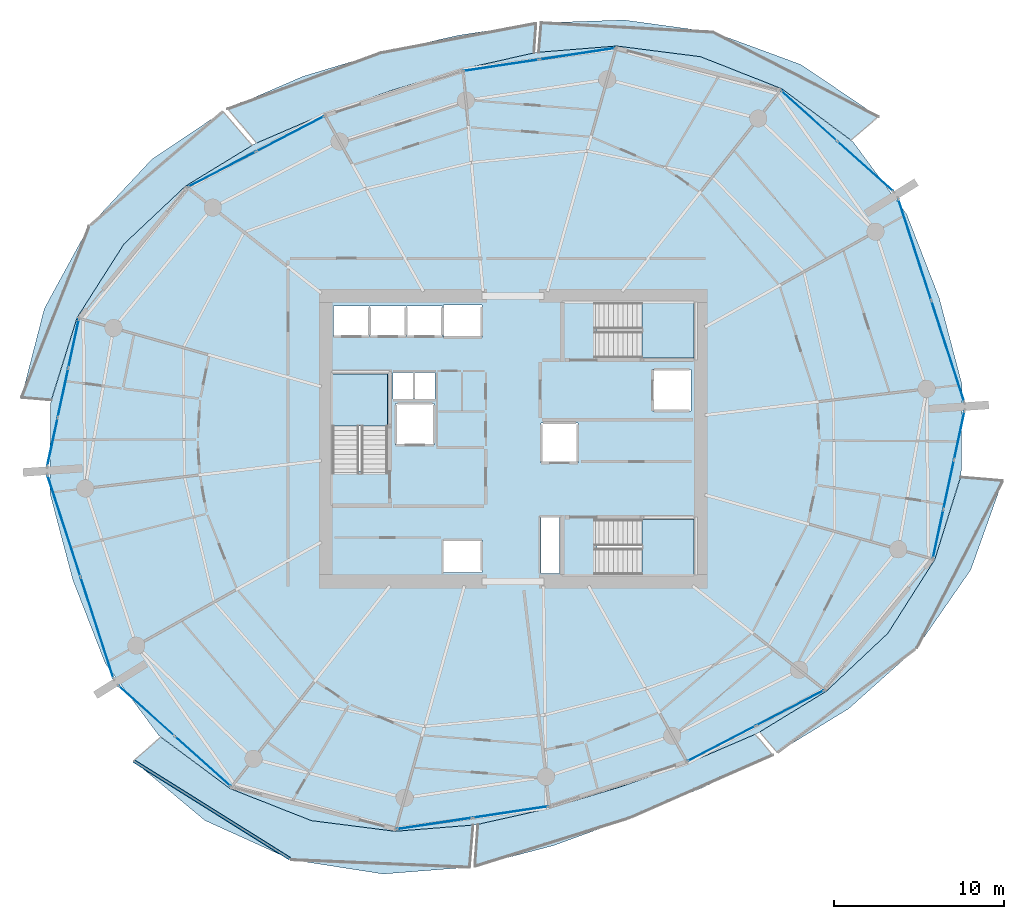
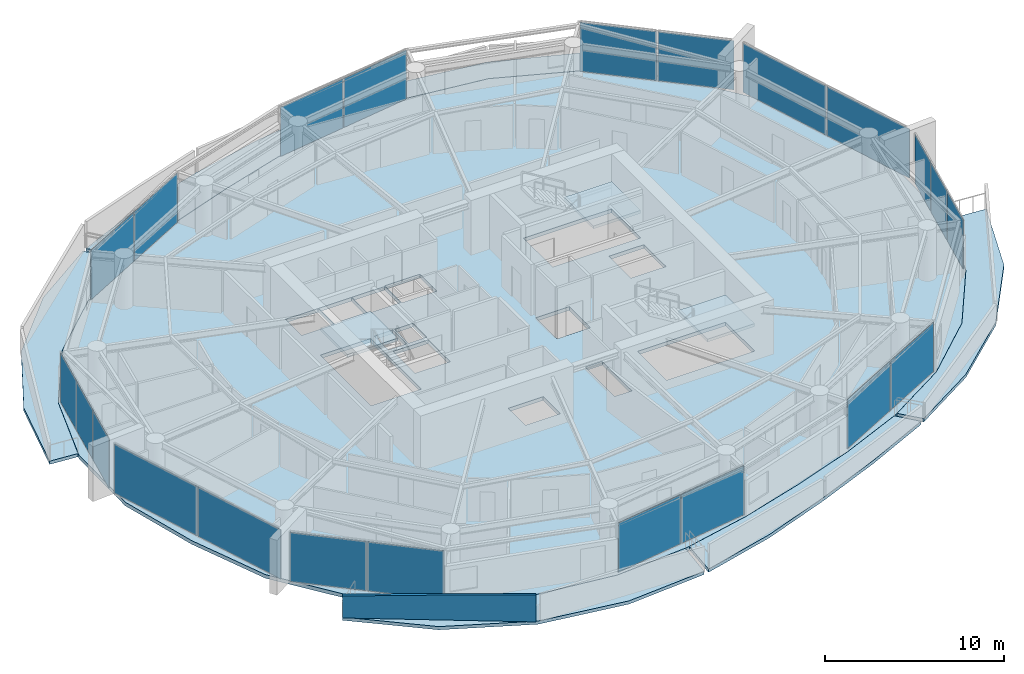
# One storey, part 10 of 20: 22 plates, 10 slabs, 1 wall, 13 elements without a shape of their own.
"""IFC4 building model written with IfcOpenShell, lengths in metres."""

from ifc_helpers import new_model, si_unit, direction, frame, origin, origin_2d, place, context, subcontext, project, spatial, polyline, rectangle, outline, extrude, material, layer, layer_set, type_object, element, aggregate, save


model = new_model("IFC4")

# Units and contexts
model_context = context("Model", 3, precision=1e-05, world=origin(), true_north=direction((0.0, 1.0)))
body_context = subcontext(model_context, "Body", "Model", "MODEL_VIEW")
ifc_project = project(units=[si_unit("LENGTHUNIT", "METRE"), si_unit("AREAUNIT", "SQUARE_METRE"), si_unit("VOLUMEUNIT", "CUBIC_METRE"), si_unit("PLANEANGLEUNIT", "RADIAN"), si_unit("MASSUNIT", "GRAM", prefix="KILO")], contexts=[model_context])

# Site, building, storey
site_placement = place(None, origin())
site = spatial("IfcSite", under=ifc_project, at=site_placement, CompositionType="ELEMENT")
building_placement = place(site_placement, origin())
building = spatial("IfcBuilding", under=site, at=building_placement, Name="Kazma Halo Residences", CompositionType="ELEMENT")
storey_placement = place(building_placement, frame((0.0, 0.0, 146.550048828125)))
storey = spatial("IfcBuildingStorey", under=building, at=storey_placement, Name="L36", CompositionType="ELEMENT", Elevation=146.550048828125)

# Curtain wall, plates
ifc_material_1 = material(Name="Aluminium AW-6063 T6 and Triple-Silver Low-E Glass", Category="aluminium")
ifc_layer_1 = layer(ifc_material_1, 0.219970703125)
ifc_layer_set_1 = layer_set([ifc_layer_1], Name="Aluminium AW-6063 T6 and Triple-Silver Low-E Glass")
curtain_wall_type = type_object("IfcCurtainWallType", Name="CW-SYS-4", PredefinedType="NOTDEFINED", material=ifc_layer_set_1)
curtain_wall_1_placement = place(storey_placement, origin())
curtain_wall_1 = element("IfcCurtainWall", 1, at=curtain_wall_1_placement, inside=storey, type_object=curtain_wall_type, Name="L36 unitised curtain wall B01", PredefinedType="NOTDEFINED")
ifc_material_2 = material(Name="Clear Triple-Silver Low-E Glass IGU", Category="glass")
ifc_layer_2 = layer(ifc_material_2, 0.033935546875)
ifc_layer_set_2 = layer_set([ifc_layer_2], Name="Clear Triple-Silver Low-E Glass IGU")
plate_type = type_object("IfcPlateType", Name="CW-SYS-4-PNL", PredefinedType="CURTAIN_PANEL", material=ifc_layer_set_2)
plate_1_placement = place(storey_placement, frame((69.126708984375, 58.008056640625, 0.074951171875), z_axis=(0.0, 0.0, 1.0), x_axis=(-0.744367582957, 0.667770096247, 0.0)))
plate_1 = element("IfcPlate", 2, at=plate_1_placement, type_object=plate_type, Name="CWS-4 panel 1.1", PredefinedType="CURTAIN_PANEL", context=body_context, shape_type="SweptSolid", body=[
    extrude(rectangle(XDim=4.36279296875, YDim=0.033935546875, at=origin_2d()), origin(), (0.0, 0.0, 1.0), 3.35009765625),
])
plate_2_placement = place(storey_placement, frame((65.823486328125, 60.971435546875, 0.074951171875), z_axis=(0.0, 0.0, 1.0), x_axis=(-0.744367582957, 0.667770096247, 0.0)))
plate_2 = element("IfcPlate", 3, at=plate_2_placement, type_object=plate_type, Name="CWS-4 panel 2.1", PredefinedType="CURTAIN_PANEL", context=body_context, shape_type="SweptSolid", body=[
    extrude(rectangle(XDim=4.36279296875, YDim=0.033935546875, at=origin_2d()), origin(), (0.0, 0.0, 1.0), 3.35009765625),
])
aggregate(curtain_wall_1, [plate_1, plate_2])

curtain_wall_2_placement = place(storey_placement, origin())
curtain_wall_2 = element("IfcCurtainWall", 4, at=curtain_wall_2_placement, inside=storey, type_object=curtain_wall_type, Name="L36 unitised curtain wall B03", PredefinedType="NOTDEFINED")
plate_3_placement = place(storey_placement, frame((52.200439453125, 64.625732421875, 0.074951171875), z_axis=(0.0, 0.0, 1.0), x_axis=(-0.988864148004, -0.148821022686, 0.0)))
plate_3 = element("IfcPlate", 5, at=plate_3_placement, type_object=plate_type, Name="CWS-4 panel 1.1", PredefinedType="CURTAIN_PANEL", context=body_context, shape_type="SweptSolid", body=[
    extrude(rectangle(XDim=4.4560546875, YDim=0.033935546875, at=origin_2d()), origin(), (0.0, 0.0, 1.0), 3.35009765625),
])
plate_4_placement = place(storey_placement, frame((47.7197265625, 63.951416015625, 0.074951171875), z_axis=(0.0, 0.0, 1.0), x_axis=(-0.988864148004, -0.148821022686, 0.0)))
plate_4 = element("IfcPlate", 6, at=plate_4_placement, type_object=plate_type, Name="CWS-4 panel 2.1", PredefinedType="CURTAIN_PANEL", context=body_context, shape_type="SweptSolid", body=[
    extrude(rectangle(XDim=4.4560546875, YDim=0.033935546875, at=origin_2d()), origin(), (0.0, 0.0, 1.0), 3.35009765625),
])
aggregate(curtain_wall_2, [plate_3, plate_4])

curtain_wall_3_placement = place(storey_placement, origin())
curtain_wall_3 = element("IfcCurtainWall", 7, at=curtain_wall_3_placement, inside=storey, type_object=curtain_wall_type, Name="L36 unitised curtain wall B05", PredefinedType="NOTDEFINED")
plate_5_placement = place(storey_placement, frame((35.323974609375, 59.923828125, 0.074951171875), z_axis=(0.0, 0.0, 1.0), x_axis=(-0.887484542306, -0.460837484552, 0.0)))
plate_5 = element("IfcPlate", 8, at=plate_5_placement, type_object=plate_type, Name="CWS-4 panel 1.1", PredefinedType="CURTAIN_PANEL", context=body_context, shape_type="SweptSolid", body=[
    extrude(rectangle(XDim=4.4560546875, YDim=0.033935546875, at=origin_2d()), origin(), (0.0, 0.0, 1.0), 3.35009765625),
])
plate_6_placement = place(storey_placement, frame((31.302734375, 57.835693359375, 0.074951171875), z_axis=(0.0, 0.0, 1.0), x_axis=(-0.887484542306, -0.460837484552, 0.0)))
plate_6 = element("IfcPlate", 9, at=plate_6_placement, type_object=plate_type, Name="CWS-4 panel 2.1", PredefinedType="CURTAIN_PANEL", context=body_context, shape_type="SweptSolid", body=[
    extrude(rectangle(XDim=4.4560546875, YDim=0.033935546875, at=origin_2d()), origin(), (0.0, 0.0, 1.0), 3.35009765625),
])
aggregate(curtain_wall_3, [plate_5, plate_6])

curtain_wall_4_placement = place(storey_placement, origin())
curtain_wall_4 = element("IfcCurtainWall", 10, at=curtain_wall_4_placement, inside=storey, type_object=curtain_wall_type, Name="L36 unitised curtain wall B07", PredefinedType="NOTDEFINED")
plate_7_placement = place(storey_placement, frame((22.5859375, 47.601318359375, 0.074951171875), z_axis=(0.0, 0.0, 1.0), x_axis=(-0.209703809037, -0.977764957684, 0.0)))
plate_7 = element("IfcPlate", 11, at=plate_7_placement, type_object=plate_type, Name="CWS-4 panel 1.1", PredefinedType="CURTAIN_PANEL", context=body_context, shape_type="SweptSolid", body=[
    extrude(rectangle(XDim=2.87109375, YDim=0.033935546875, at=origin_2d()), origin(), (0.0, 0.0, 1.0), 3.35009765625),
])
plate_8_placement = place(storey_placement, frame((21.964111328125, 44.702392578125, 0.074951171875), z_axis=(0.0, 0.0, 1.0), x_axis=(-0.209703809037, -0.977764957684, 0.0)))
plate_8 = element("IfcPlate", 12, at=plate_8_placement, type_object=plate_type, Name="CWS-4 panel 2.1", PredefinedType="CURTAIN_PANEL", context=body_context, shape_type="SweptSolid", body=[
    extrude(rectangle(XDim=2.90869140625, YDim=0.033935546875, at=origin_2d()), origin(), (0.0, 0.0, 1.0), 3.35009765625),
])
plate_9_placement = place(storey_placement, frame((21.34228515625, 41.803466796875, 0.074951171875), z_axis=(0.0, 0.0, 1.0), x_axis=(-0.209703809037, -0.977764957684, 0.0)))
plate_9 = element("IfcPlate", 13, at=plate_9_placement, type_object=plate_type, Name="CWS-4 panel 3.1", PredefinedType="CURTAIN_PANEL", context=body_context, shape_type="SweptSolid", body=[
    extrude(rectangle(XDim=2.87109375, YDim=0.033935546875, at=origin_2d()), origin(), (0.0, 0.0, 1.0), 3.35009765625),
])
aggregate(curtain_wall_4, [plate_7, plate_8, plate_9])

curtain_wall_5_placement = place(storey_placement, origin())
curtain_wall_5 = element("IfcCurtainWall", 14, at=curtain_wall_5_placement, inside=storey, type_object=curtain_wall_type, Name="L36 unitised curtain wall B08", PredefinedType="NOTDEFINED")
plate_10_placement = place(storey_placement, frame((22.017578125, 36.869873046875, 0.074951171875), z_axis=(0.0, 0.0, 1.0), x_axis=(0.3090138203, -0.951057547609, 0.0)))
plate_10 = element("IfcPlate", 15, at=plate_10_placement, type_object=plate_type, Name="CWS-4 panel 1.1", PredefinedType="CURTAIN_PANEL", context=body_context, shape_type="SweptSolid", body=[
    extrude(rectangle(XDim=6.224853515625, YDim=0.033935546875, at=origin_2d()), origin(), (0.0, 0.0, 1.0), 3.35009765625),
])
plate_11_placement = place(storey_placement, frame((23.96435546875, 30.878173828125, 0.074951171875), z_axis=(0.0, 0.0, 1.0), x_axis=(0.3090138203, -0.951057547609, 0.0)))
plate_11 = element("IfcPlate", 16, at=plate_11_placement, type_object=plate_type, Name="CWS-4 panel 2.1", PredefinedType="CURTAIN_PANEL", context=body_context, shape_type="SweptSolid", body=[
    extrude(rectangle(XDim=6.224853515625, YDim=0.033935546875, at=origin_2d()), origin(), (0.0, 0.0, 1.0), 3.35009765625),
])
aggregate(curtain_wall_5, [plate_10, plate_11])

curtain_wall_6_placement = place(storey_placement, origin())
curtain_wall_6 = element("IfcCurtainWall", 17, at=curtain_wall_6_placement, inside=storey, type_object=curtain_wall_type, Name="L36 unitised curtain wall B09", PredefinedType="NOTDEFINED")
plate_12_placement = place(storey_placement, frame((26.873291015625, 25.991943359375, 0.074951171875), z_axis=(0.0, 0.0, 1.0), x_axis=(0.744367582957, -0.667770096247, 0.0)))
plate_12 = element("IfcPlate", 18, at=plate_12_placement, type_object=plate_type, Name="CWS-4 panel 1.1", PredefinedType="CURTAIN_PANEL", context=body_context, shape_type="SweptSolid", body=[
    extrude(rectangle(XDim=4.36279296875, YDim=0.033935546875, at=origin_2d()), origin(), (0.0, 0.0, 1.0), 3.35009765625),
])
plate_13_placement = place(storey_placement, frame((30.176513671875, 23.028564453125, 0.074951171875), z_axis=(0.0, 0.0, 1.0), x_axis=(0.744367582957, -0.667770096247, 0.0)))
plate_13 = element("IfcPlate", 19, at=plate_13_placement, type_object=plate_type, Name="CWS-4 panel 2.1", PredefinedType="CURTAIN_PANEL", context=body_context, shape_type="SweptSolid", body=[
    extrude(rectangle(XDim=4.36279296875, YDim=0.033935546875, at=origin_2d()), origin(), (0.0, 0.0, 1.0), 3.35009765625),
])
aggregate(curtain_wall_6, [plate_12, plate_13])

curtain_wall_7_placement = place(storey_placement, origin())
curtain_wall_7 = element("IfcCurtainWall", 20, at=curtain_wall_7_placement, inside=storey, type_object=curtain_wall_type, Name="L36 unitised curtain wall B11", PredefinedType="NOTDEFINED")
plate_14_placement = place(storey_placement, frame((43.799560546875, 19.374267578125, 0.074951171875), z_axis=(0.0, 0.0, 1.0), x_axis=(0.988864148004, 0.148821022686, 0.0)))
plate_14 = element("IfcPlate", 21, at=plate_14_placement, type_object=plate_type, Name="CWS-4 panel 1.1", PredefinedType="CURTAIN_PANEL", context=body_context, shape_type="SweptSolid", body=[
    extrude(rectangle(XDim=4.4560546875, YDim=0.033935546875, at=origin_2d()), origin(), (0.0, 0.0, 1.0), 3.35009765625),
])
plate_15_placement = place(storey_placement, frame((48.2802734375, 20.048583984375, 0.074951171875), z_axis=(0.0, 0.0, 1.0), x_axis=(0.988864148004, 0.148821022686, 0.0)))
plate_15 = element("IfcPlate", 22, at=plate_15_placement, type_object=plate_type, Name="CWS-4 panel 2.1", PredefinedType="CURTAIN_PANEL", context=body_context, shape_type="SweptSolid", body=[
    extrude(rectangle(XDim=4.4560546875, YDim=0.033935546875, at=origin_2d()), origin(), (0.0, 0.0, 1.0), 3.35009765625),
])
aggregate(curtain_wall_7, [plate_14, plate_15])

curtain_wall_8_placement = place(storey_placement, origin())
curtain_wall_8 = element("IfcCurtainWall", 23, at=curtain_wall_8_placement, inside=storey, type_object=curtain_wall_type, Name="L36 unitised curtain wall B13", PredefinedType="NOTDEFINED")
plate_16_placement = place(storey_placement, frame((60.676025390625, 24.076171875, 0.074951171875), z_axis=(0.0, 0.0, 1.0), x_axis=(0.887484542306, 0.460837484552, 0.0)))
plate_16 = element("IfcPlate", 24, at=plate_16_placement, type_object=plate_type, Name="CWS-4 panel 1.1", PredefinedType="CURTAIN_PANEL", context=body_context, shape_type="SweptSolid", body=[
    extrude(rectangle(XDim=4.4560546875, YDim=0.033935546875, at=origin_2d()), origin(), (0.0, 0.0, 1.0), 3.35009765625),
])
plate_17_placement = place(storey_placement, frame((64.697265625, 26.164306640625, 0.074951171875), z_axis=(0.0, 0.0, 1.0), x_axis=(0.887484542306, 0.460837484552, 0.0)))
plate_17 = element("IfcPlate", 25, at=plate_17_placement, type_object=plate_type, Name="CWS-4 panel 2.1", PredefinedType="CURTAIN_PANEL", context=body_context, shape_type="SweptSolid", body=[
    extrude(rectangle(XDim=4.4560546875, YDim=0.033935546875, at=origin_2d()), origin(), (0.0, 0.0, 1.0), 3.35009765625),
])
aggregate(curtain_wall_8, [plate_16, plate_17])

curtain_wall_9_placement = place(storey_placement, origin())
curtain_wall_9 = element("IfcCurtainWall", 26, at=curtain_wall_9_placement, inside=storey, type_object=curtain_wall_type, Name="L36 unitised curtain wall B15", PredefinedType="NOTDEFINED")
plate_18_placement = place(storey_placement, frame((73.4140625, 36.398681640625, 0.074951171875), z_axis=(0.0, 0.0, 1.0), x_axis=(0.209703809037, 0.977764957684, 0.0)))
plate_18 = element("IfcPlate", 27, at=plate_18_placement, type_object=plate_type, Name="CWS-4 panel 1.1", PredefinedType="CURTAIN_PANEL", context=body_context, shape_type="SweptSolid", body=[
    extrude(rectangle(XDim=2.87109375, YDim=0.033935546875, at=origin_2d()), origin(), (0.0, 0.0, 1.0), 3.35009765625),
])
plate_19_placement = place(storey_placement, frame((74.035888671875, 39.297607421875, 0.074951171875), z_axis=(0.0, 0.0, 1.0), x_axis=(0.209703809037, 0.977764957684, 0.0)))
plate_19 = element("IfcPlate", 28, at=plate_19_placement, type_object=plate_type, Name="CWS-4 panel 2.1", PredefinedType="CURTAIN_PANEL", context=body_context, shape_type="SweptSolid", body=[
    extrude(rectangle(XDim=2.90869140625, YDim=0.033935546875, at=origin_2d()), origin(), (0.0, 0.0, 1.0), 3.35009765625),
])
plate_20_placement = place(storey_placement, frame((74.65771484375, 42.196533203125, 0.074951171875), z_axis=(0.0, 0.0, 1.0), x_axis=(0.209703809037, 0.977764957684, 0.0)))
plate_20 = element("IfcPlate", 29, at=plate_20_placement, type_object=plate_type, Name="CWS-4 panel 3.1", PredefinedType="CURTAIN_PANEL", context=body_context, shape_type="SweptSolid", body=[
    extrude(rectangle(XDim=2.87109375, YDim=0.033935546875, at=origin_2d()), origin(), (0.0, 0.0, 1.0), 3.35009765625),
])
aggregate(curtain_wall_9, [plate_18, plate_19, plate_20])

curtain_wall_10_placement = place(storey_placement, origin())
curtain_wall_10 = element("IfcCurtainWall", 30, at=curtain_wall_10_placement, inside=storey, type_object=curtain_wall_type, Name="L36 unitised curtain wall B16", PredefinedType="NOTDEFINED")
plate_21_placement = place(storey_placement, frame((73.982421875, 47.130126953125, 0.074951171875), z_axis=(0.0, 0.0, 1.0), x_axis=(-0.3090138203, 0.951057547609, 0.0)))
plate_21 = element("IfcPlate", 31, at=plate_21_placement, type_object=plate_type, Name="CWS-4 panel 1.1", PredefinedType="CURTAIN_PANEL", context=body_context, shape_type="SweptSolid", body=[
    extrude(rectangle(XDim=6.224853515625, YDim=0.033935546875, at=origin_2d()), origin(), (0.0, 0.0, 1.0), 3.35009765625),
])
plate_22_placement = place(storey_placement, frame((72.03564453125, 53.121826171875, 0.074951171875), z_axis=(0.0, 0.0, 1.0), x_axis=(-0.3090138203, 0.951057547609, 0.0)))
plate_22 = element("IfcPlate", 32, at=plate_22_placement, type_object=plate_type, Name="CWS-4 panel 2.1", PredefinedType="CURTAIN_PANEL", context=body_context, shape_type="SweptSolid", body=[
    extrude(rectangle(XDim=6.224853515625, YDim=0.033935546875, at=origin_2d()), origin(), (0.0, 0.0, 1.0), 3.35009765625),
])
aggregate(curtain_wall_10, [plate_21, plate_22])

# Slabs
ifc_material_3 = material(Name="White Concrete C50/60", Category="concrete")
ifc_layer_3 = layer(ifc_material_3, 0.219970703125)
ifc_layer_set_3 = layer_set([ifc_layer_3], Name="White Concrete C50/60")
slab_type_1 = type_object("IfcSlabType", Name="SLB-BAL-WAVE-210", PredefinedType="FLOOR", material=ifc_layer_set_3)
slab_1_placement = place(storey_placement, frame((0.0, 0.0, -0.219970703125)))
element("IfcSlab", 33, at=slab_1_placement, inside=storey, type_object=slab_type_1, Name="L36 NE cantilevered wave balcony slab", PredefinedType="FLOOR", context=body_context, shape_type="SweptSolid", body=[
    extrude(outline(polyline([(68.294677734375, 59.548583984375), (64.21923828125, 62.573974609375), (59.442626953125, 64.45751953125), (54.510986328125, 65.0859375), (49.927978515625, 64.720458984375), (50.074462890625, 66.44873046875), (54.94189453125, 66.6142578125), (60.177001953125, 65.898681640625), (65.33935546875, 63.994873046875), (69.8896484375, 60.927978515625), (68.294677734375, 59.548583984375)])), origin(), (0.0, 0.0, 1.0), 0.219970703125),
])
slab_2_placement = place(storey_placement, frame((0.0, 0.0, -0.219970703125)))
element("IfcSlab", 34, at=slab_2_placement, inside=storey, type_object=slab_type_1, Name="L36 NNW cantilevered wave balcony slab", PredefinedType="FLOOR", context=body_context, shape_type="SweptSolid", body=[
    extrude(outline(polyline([(49.6455078125, 64.67822265625), (45.427978515625, 63.72998046875), (41.3408203125, 62.494873046875), (37.30810546875, 61.091552734375), (33.3388671875, 59.3798828125), (31.646728515625, 61.3857421875), (36.07177734375, 63.29931640625), (40.631103515625, 64.679443359375), (45.193359375, 65.712646484375), (49.771728515625, 66.417236328125), (49.6455078125, 64.67822265625)])), origin(), (0.0, 0.0, 1.0), 0.219970703125),
])
slab_3_placement = place(storey_placement, frame((0.0, 0.0, -0.219970703125)))
element("IfcSlab", 35, at=slab_3_placement, inside=storey, type_object=slab_type_1, Name="L36 NW cantilevered wave balcony slab", PredefinedType="FLOOR", context=body_context, shape_type="SweptSolid", body=[
    extrude(outline(polyline([(33.08544921875, 59.248046875), (29.1630859375, 56.849853515625), (25.54248046875, 53.442626953125), (22.78515625, 49.111328125), (21.2666015625, 44.268310546875), (19.515380859375, 44.4169921875), (20.863525390625, 49.6533203125), (23.49609375, 54.4853515625), (27.17578125, 58.41650390625), (31.3662109375, 61.236572265625), (33.08544921875, 59.248046875)])), origin(), (0.0, 0.0, 1.0), 0.219970703125),
])
slab_4_placement = place(storey_placement, frame((0.0, 0.0, -0.219970703125)))
element("IfcSlab", 36, at=slab_4_placement, inside=storey, type_object=slab_type_1, Name="L36 SW cantilevered wave balcony slab", PredefinedType="FLOOR", context=body_context, shape_type="SweptSolid", body=[
    extrude(outline(polyline([(27.705322265625, 24.451416015625), (31.78076171875, 21.426025390625), (36.557373046875, 19.54248046875), (41.489013671875, 18.9140625), (46.072021484375, 19.279541015625), (45.8623046875, 16.80517578125), (40.78125, 16.404052734375), (35.38671875, 17.2451171875), (30.302978515625, 19.551513671875), (26.095947265625, 23.0595703125), (27.705322265625, 24.451416015625)])), origin(), (0.0, 0.0, 1.0), 0.219970703125),
])
slab_5_placement = place(storey_placement, frame((0.0, 0.0, -0.219970703125)))
element("IfcSlab", 37, at=slab_5_placement, inside=storey, type_object=slab_type_1, Name="L36 SSE cantilevered wave balcony slab", PredefinedType="FLOOR", context=body_context, shape_type="SweptSolid", body=[
    extrude(outline(polyline([(46.3544921875, 19.32177734375), (50.572021484375, 20.27001953125), (54.6591796875, 21.505126953125), (58.69189453125, 22.908447265625), (62.6611328125, 24.6201171875), (63.682861328125, 23.408935546875), (59.505615234375, 21.455078125), (55.24609375, 19.69921875), (50.830322265625, 18.0859375), (46.176025390625, 16.86279296875), (46.3544921875, 19.32177734375)])), origin(), (0.0, 0.0, 1.0), 0.219970703125),
])
slab_6_placement = place(storey_placement, frame((0.0, 0.0, -0.219970703125)))
element("IfcSlab", 38, at=slab_6_placement, inside=storey, type_object=slab_type_1, Name="L36 SE cantilevered wave balcony slab", PredefinedType="FLOOR", context=body_context, shape_type="SweptSolid", body=[
    extrude(outline(polyline([(62.91455078125, 24.751953125), (66.8369140625, 27.150146484375), (70.45751953125, 30.557373046875), (73.21484375, 34.888671875), (74.7333984375, 39.731689453125), (77.20361328125, 39.52197265625), (75.331787109375, 34.291748046875), (72.1494140625, 29.6953125), (68.14501953125, 26.118896484375), (63.95361328125, 23.550048828125), (62.91455078125, 24.751953125)])), origin(), (0.0, 0.0, 1.0), 0.219970703125),
])
ifc_material_4 = material(Name="Concrete C50/60", Category="concrete")
ifc_layer_4 = layer(ifc_material_4, 0.25)
ifc_layer_set_4 = layer_set([ifc_layer_4], Name="Concrete C50/60")
slab_type_2 = type_object("IfcSlabType", Name="SLB-RES-250", PredefinedType="FLOOR", material=ifc_layer_set_4)
slab_7_placement = place(storey_placement, frame((0.0, 0.0, -0.25)))
element("IfcSlab", 39, at=slab_7_placement, inside=storey, type_object=slab_type_2, Name="L36 structural floor slab", PredefinedType="FLOOR", context=body_context, shape_type="SweptSolid", body=[
    extrude(outline(polyline([(73.47265625, 50.276611328125), (71.56201171875, 55.1953125), (68.41796875, 59.438720703125), (64.218017578125, 62.572509765625), (59.441650390625, 64.45556640625), (54.510498046875, 65.083984375), (49.787109375, 64.706298828125), (45.42822265625, 63.727783203125), (41.341552734375, 62.492919921875), (37.30908203125, 61.08984375), (33.2080078125, 59.3193359375), (29.16455078125, 56.8486328125), (25.54443359375, 53.441650390625), (22.787109375, 49.110595703125), (21.2314453125, 44.106689453125), (21.181884765625, 38.825927734375), (22.52734375, 33.723388671875), (24.43798828125, 28.8046875), (27.58203125, 24.561279296875), (31.781982421875, 21.427490234375), (36.558349609375, 19.54443359375), (41.489501953125, 18.916015625), (46.212890625, 19.293701171875), (50.57177734375, 20.272216796875), (54.658447265625, 21.507080078125), (58.69091796875, 22.91015625), (62.7919921875, 24.6806640625), (66.83544921875, 27.1513671875), (70.45556640625, 30.558349609375), (73.212890625, 34.889404296875), (74.7685546875, 39.893310546875), (74.818115234375, 45.174072265625), (73.47265625, 50.276611328125)]), holes=[polyline([(37.800048828125, 40.110107421875), (41.050048828125, 40.110107421875), (41.050048828125, 45.800048828125), (37.800048828125, 45.800048828125), (37.800048828125, 40.110107421875)]), polyline([(53.360107421875, 46.75), (59.050048828125, 46.75), (59.050048828125, 50.0), (53.360107421875, 50.0), (53.360107421875, 46.75)]), polyline([(53.360107421875, 34.0), (59.050048828125, 34.0), (59.050048828125, 37.25), (53.360107421875, 37.25), (53.360107421875, 34.0)]), polyline([(41.52001953125, 41.6201171875), (43.780029296875, 41.6201171875), (43.780029296875, 44.080078125), (41.52001953125, 44.080078125), (41.52001953125, 41.6201171875)]), polyline([(56.6201171875, 43.6201171875), (58.8798828125, 43.6201171875), (58.8798828125, 46.080078125), (56.6201171875, 46.080078125), (56.6201171875, 43.6201171875)]), polyline([(37.864990234375, 47.9951171875), (39.97509765625, 47.9951171875), (39.97509765625, 49.804931640625), (37.864990234375, 49.804931640625), (37.864990234375, 47.9951171875)]), polyline([(40.014892578125, 47.9951171875), (42.125, 47.9951171875), (42.125, 49.804931640625), (40.014892578125, 49.804931640625), (40.014892578125, 47.9951171875)]), polyline([(42.1650390625, 47.9951171875), (44.27490234375, 47.9951171875), (44.27490234375, 49.804931640625), (42.1650390625, 49.804931640625), (42.1650390625, 47.9951171875)]), polyline([(44.320068359375, 47.945068359375), (46.580078125, 47.945068359375), (46.580078125, 49.85498046875), (44.320068359375, 49.85498046875), (44.320068359375, 47.945068359375)]), polyline([(44.320068359375, 34.14501953125), (46.580078125, 34.14501953125), (46.580078125, 36.054931640625), (44.320068359375, 36.054931640625), (44.320068359375, 34.14501953125)]), polyline([(50.070068359375, 40.570068359375), (52.22998046875, 40.570068359375), (52.22998046875, 42.929931640625), (50.070068359375, 42.929931640625), (50.070068359375, 40.570068359375)]), polyline([(41.360107421875, 44.340087890625), (42.5400390625, 44.340087890625), (42.5400390625, 45.89990234375), (41.360107421875, 45.89990234375), (41.360107421875, 44.340087890625)]), polyline([(42.659912109375, 44.340087890625), (43.840087890625, 44.340087890625), (43.840087890625, 45.89990234375), (42.659912109375, 45.89990234375), (42.659912109375, 44.340087890625)]), polyline([(50.06005859375, 34.080078125), (51.159912109375, 34.080078125), (51.159912109375, 37.3798828125), (50.06005859375, 37.3798828125), (50.06005859375, 34.080078125)])]), origin(), (0.0, 0.0, 1.0), 0.25),
])

# Stair, slab
stair_type = type_object("IfcStairType", Name="STR-RES1", PredefinedType="HALF_TURN_STAIR", material=ifc_material_4)
stair_1_placement = place(storey_placement, origin())
stair_1 = element("IfcStair", 40, at=stair_1_placement, inside=storey, type_object=stair_type, Name="L36 Core exit stair ST-01", PredefinedType="HALF_TURN_STAIR")
ifc_layer_5 = layer(ifc_material_4, 0.199951171875)
ifc_layer_set_5 = layer_set([ifc_layer_5], Name="Concrete C50/60")
slab_type_3 = type_object("IfcSlabType", Name="SLB-STAIR-LND-200", PredefinedType="LANDING", material=ifc_layer_set_5)
slab_8_placement = place(storey_placement, frame((0.0, 0.0, 1.675048828125)))
slab_8 = element("IfcSlab", 41, at=slab_8_placement, type_object=slab_type_3, Name="ST-01 landing 1", PredefinedType="LANDING", context=body_context, shape_type="SweptSolid", body=[
    extrude(outline(polyline([(41.050048828125, 42.75), (41.050048828125, 45.800048828125), (37.800048828125, 45.800048828125), (37.800048828125, 42.75), (41.050048828125, 42.75)])), origin(), (0.0, 0.0, 1.0), 0.199951171875),
])
aggregate(stair_1, [slab_8])

stair_2_placement = place(storey_placement, origin())
stair_2 = element("IfcStair", 42, at=stair_2_placement, inside=storey, type_object=stair_type, Name="L36 Core exit stair ST-02", PredefinedType="HALF_TURN_STAIR")
slab_9_placement = place(storey_placement, frame((0.0, 0.0, 1.675048828125)))
slab_9 = element("IfcSlab", 43, at=slab_9_placement, type_object=slab_type_3, Name="ST-02 landing 1", PredefinedType="LANDING", context=body_context, shape_type="SweptSolid", body=[
    extrude(outline(polyline([(56.0, 46.75), (59.050048828125, 46.75), (59.050048828125, 50.0), (56.0, 50.0), (56.0, 46.75)])), origin(), (0.0, 0.0, 1.0), 0.199951171875),
])
aggregate(stair_2, [slab_9])

stair_3_placement = place(storey_placement, origin())
stair_3 = element("IfcStair", 44, at=stair_3_placement, inside=storey, type_object=stair_type, Name="L36 Core exit stair ST-03", PredefinedType="HALF_TURN_STAIR")
slab_10_placement = place(storey_placement, frame((0.0, 0.0, 1.675048828125)))
slab_10 = element("IfcSlab", 45, at=slab_10_placement, type_object=slab_type_3, Name="ST-03 landing 1", PredefinedType="LANDING", context=body_context, shape_type="SweptSolid", body=[
    extrude(outline(polyline([(56.0, 34.0), (59.050048828125, 34.0), (59.050048828125, 37.25), (56.0, 37.25), (56.0, 34.0)])), origin(), (0.0, 0.0, 1.0), 0.199951171875),
])
aggregate(stair_3, [slab_10])

# Wall
ifc_material_5 = material(Name="White Concrete C50/60 Balustrade", Category="concrete")
ifc_layer_6 = layer(ifc_material_5, 0.179931640625)
ifc_layer_set_6 = layer_set([ifc_layer_6], Name="White Concrete C50/60 Balustrade")
wall_type = type_object("IfcWallType", Name="WL-BAL-WAVE-180", PredefinedType="PARAPET", material=ifc_layer_set_6)
wall_placement = place(storey_placement, frame((26.095947265625, 23.0595703125, 0.0), z_axis=(0.0, 0.0, 1.0), x_axis=(0.847688171498, -0.53049482929, 0.0)))
element("IfcWall", 46, at=wall_placement, inside=storey, type_object=wall_type, Name="L36 white wave balustrade wall SW.1", PredefinedType="PARAPET", context=body_context, shape_type="SweptSolid", body=[
    extrude(outline(polyline([(0.0, 0.0), (10.84033203125, 0.0), (10.840087890625, 1.83203125), (5.420166015625, 1.696044921875), (0.0, 1.4970703125), (0.0, 0.0)])), frame((0.0, 0.08984375, 0.0), z_axis=(0.0, -1.0, 0.0), x_axis=(1.0, 0.0, 0.0)), (0.0, 0.0, 1.0), 0.179931640625),
])

save(model, "model.ifc")
